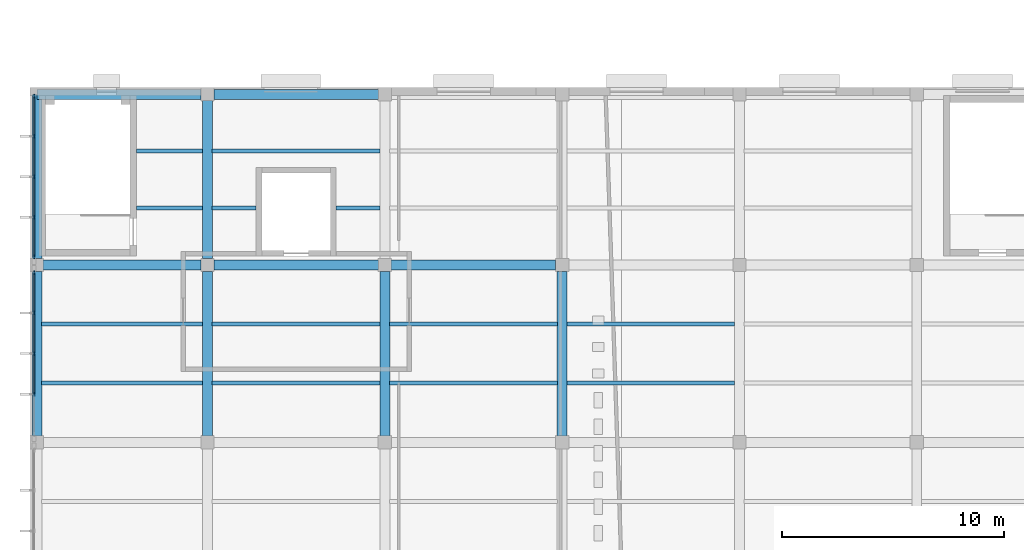
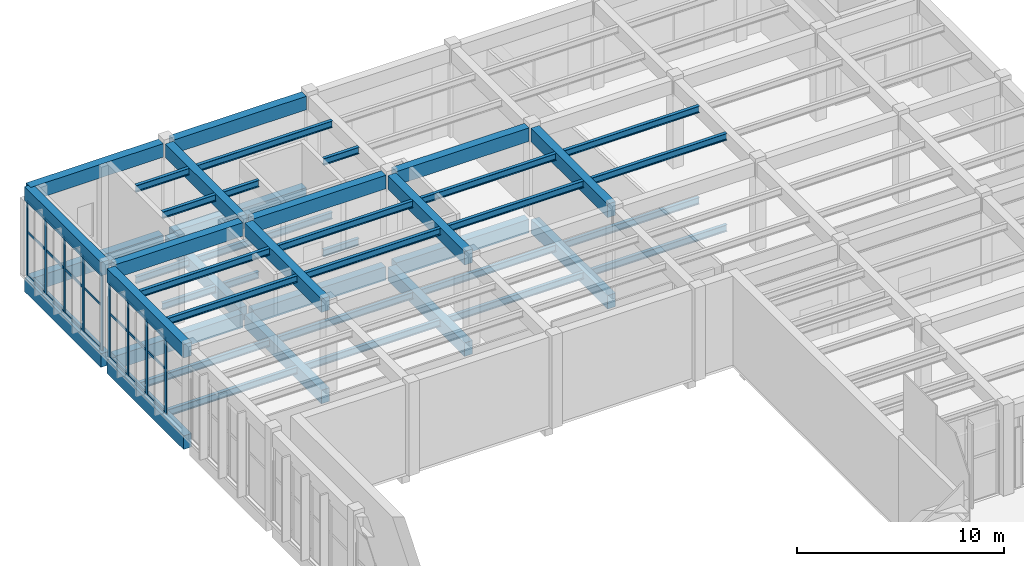
# One storey, part 47 of 94: 48 beams, 30 members, 2 elements without a shape of their own.
"""IFC4 building model written with IfcOpenShell, lengths in metres."""

from ifc_helpers import new_model, si_unit, direction, frame, origin, origin_2d, place, context, subcontext, project, spatial, rectangle, i_section, extrude, material, layer, layer_set, material_profile, profile_set, type_object, element, aggregate, save


model = new_model("IFC4")

# Units and contexts
model_context = context("Model", 3, precision=1e-05, world=origin(), true_north=direction((0.0, 1.0)))
body_context = subcontext(model_context, "Body", "Model", "MODEL_VIEW")
ifc_project = project(units=[si_unit("LENGTHUNIT", "METRE"), si_unit("AREAUNIT", "SQUARE_METRE"), si_unit("VOLUMEUNIT", "CUBIC_METRE"), si_unit("PLANEANGLEUNIT", "RADIAN"), si_unit("MASSUNIT", "GRAM", prefix="KILO")], contexts=[model_context])

# Site, building, storey
site_placement = place(None, origin())
site = spatial("IfcSite", under=ifc_project, at=site_placement, CompositionType="ELEMENT")
building_placement = place(site_placement, origin())
building = spatial("IfcBuilding", under=site, at=building_placement, Name="Lunette Opera House", CompositionType="ELEMENT")
storey_placement = place(building_placement, frame((0.0, 0.0, 22.5)))
storey = spatial("IfcBuildingStorey", under=building, at=storey_placement, Name="L04", CompositionType="ELEMENT", Elevation=22.5)

# Curtain wall, members
ifc_material_1 = material(Name="Aluminium", Category="aluminium")
ifc_layer = layer(ifc_material_1, 0.179931640625)
ifc_layer_set = layer_set([ifc_layer], Name="Aluminium")
curtain_wall_type = type_object("IfcCurtainWallType", Name="SUN FACE CURTAIN WALL", PredefinedType="NOTDEFINED", material=ifc_layer_set)
curtain_wall_1_placement = place(storey_placement, origin())
curtain_wall_1 = element("IfcCurtainWall", 1, at=curtain_wall_1_placement, inside=storey, type_object=curtain_wall_type, Name="Sun Face Curtain Wall F15 L04", PredefinedType="NOTDEFINED")
ifc_material_2 = material(Name="Aluminium", Category="aluminium")
ifc_material_profile_1 = material_profile(ifc_material_2, rectangle(XDim=0.06005859375, YDim=0.179931640625, at=origin_2d()), Name="MULLION 60 X 180")
ifc_profile_set_1 = profile_set([ifc_material_profile_1], Name="Aluminium")
member_type_1 = type_object("IfcMemberType", Name="MULLION 60 X 180", PredefinedType="MULLION", material=ifc_profile_set_1)
member_1_placement = place(storey_placement, frame((8.181884765625, 111.60498046875, 0.0), z_axis=(0.0, 0.0, 1.0), x_axis=(1.0, 0.0, 0.0)))
member_1 = element("IfcMember", 2, at=member_1_placement, type_object=member_type_1, Name="RW-X2061 mullion 1", PredefinedType="MULLION", context=body_context, shape_type="SweptSolid", body=[
    extrude(rectangle(XDim=0.06005859375, YDim=0.179931640625, at=origin_2d()), origin(), (0.0, 0.0, 1.0), 4.449951171875),
])
member_2_placement = place(storey_placement, frame((8.181884765625, 109.808837890625, 0.0), z_axis=(0.0, 0.0, 1.0), x_axis=(1.0, 0.0, 0.0)))
member_2 = element("IfcMember", 3, at=member_2_placement, type_object=member_type_1, Name="RW-X2061 mullion 2", PredefinedType="MULLION", context=body_context, shape_type="SweptSolid", body=[
    extrude(rectangle(XDim=0.06005859375, YDim=0.179931640625, at=origin_2d()), origin(), (0.0, 0.0, 1.0), 4.449951171875),
])
member_3_placement = place(storey_placement, frame((8.181884765625, 107.982421875, 0.0), z_axis=(0.0, 0.0, 1.0), x_axis=(1.0, 0.0, 0.0)))
member_3 = element("IfcMember", 4, at=member_3_placement, type_object=member_type_1, Name="RW-X2061 mullion 3", PredefinedType="MULLION", context=body_context, shape_type="SweptSolid", body=[
    extrude(rectangle(XDim=0.06005859375, YDim=0.179931640625, at=origin_2d()), origin(), (0.0, 0.0, 1.0), 4.449951171875),
])
member_4_placement = place(storey_placement, frame((8.181884765625, 106.15625, 0.0), z_axis=(0.0, 0.0, 1.0), x_axis=(1.0, 0.0, 0.0)))
member_4 = element("IfcMember", 5, at=member_4_placement, type_object=member_type_1, Name="RW-X2061 mullion 4", PredefinedType="MULLION", context=body_context, shape_type="SweptSolid", body=[
    extrude(rectangle(XDim=0.06005859375, YDim=0.179931640625, at=origin_2d()), origin(), (0.0, 0.0, 1.0), 4.449951171875),
])
member_5_placement = place(storey_placement, frame((8.181884765625, 104.360107421875, 0.0), z_axis=(0.0, 0.0, 1.0), x_axis=(1.0, 0.0, 0.0)))
member_5 = element("IfcMember", 6, at=member_5_placement, type_object=member_type_1, Name="RW-X2061 mullion 5", PredefinedType="MULLION", context=body_context, shape_type="SweptSolid", body=[
    extrude(rectangle(XDim=0.06005859375, YDim=0.179931640625, at=origin_2d()), origin(), (0.0, 0.0, 1.0), 4.449951171875),
])

curtain_wall_2_placement = place(storey_placement, origin())
curtain_wall_2 = element("IfcCurtainWall", 7, at=curtain_wall_2_placement, inside=storey, type_object=curtain_wall_type, Name="Sun Face Curtain Wall F16 L04", PredefinedType="NOTDEFINED")
member_6_placement = place(storey_placement, frame((8.181884765625, 103.639892578125, 0.0), z_axis=(0.0, 0.0, 1.0), x_axis=(1.0, 0.0, 0.0)))
member_6 = element("IfcMember", 8, at=member_6_placement, type_object=member_type_1, Name="RW-X2062 mullion 1", PredefinedType="MULLION", context=body_context, shape_type="SweptSolid", body=[
    extrude(rectangle(XDim=0.06005859375, YDim=0.179931640625, at=origin_2d()), origin(), (0.0, 0.0, 1.0), 4.449951171875),
])
member_7_placement = place(storey_placement, frame((8.181884765625, 101.8349609375, 0.0), z_axis=(0.0, 0.0, 1.0), x_axis=(1.0, 0.0, 0.0)))
member_7 = element("IfcMember", 9, at=member_7_placement, type_object=member_type_1, Name="RW-X2062 mullion 2", PredefinedType="MULLION", context=body_context, shape_type="SweptSolid", body=[
    extrude(rectangle(XDim=0.06005859375, YDim=0.179931640625, at=origin_2d()), origin(), (0.0, 0.0, 1.0), 4.449951171875),
])
member_8_placement = place(storey_placement, frame((8.181884765625, 100.0, 0.0), z_axis=(0.0, 0.0, 1.0), x_axis=(1.0, 0.0, 0.0)))
member_8 = element("IfcMember", 10, at=member_8_placement, type_object=member_type_1, Name="RW-X2062 mullion 3", PredefinedType="MULLION", context=body_context, shape_type="SweptSolid", body=[
    extrude(rectangle(XDim=0.06005859375, YDim=0.179931640625, at=origin_2d()), origin(), (0.0, 0.0, 1.0), 4.449951171875),
])
member_9_placement = place(storey_placement, frame((8.181884765625, 98.1650390625, 0.0), z_axis=(0.0, 0.0, 1.0), x_axis=(1.0, 0.0, 0.0)))
member_9 = element("IfcMember", 11, at=member_9_placement, type_object=member_type_1, Name="RW-X2062 mullion 4", PredefinedType="MULLION", context=body_context, shape_type="SweptSolid", body=[
    extrude(rectangle(XDim=0.06005859375, YDim=0.179931640625, at=origin_2d()), origin(), (0.0, 0.0, 1.0), 4.449951171875),
])

# Beams
ifc_material_3 = material(Name="Concrete C35/45", Category="concrete")
ifc_material_profile_2 = material_profile(ifc_material_3, rectangle(XDim=0.449951171875, YDim=0.800048828125, at=origin_2d()), Name="RC BEAM 450X800")
ifc_profile_set_2 = profile_set([ifc_material_profile_2], Name="Concrete C35/45")
beam_type_1 = type_object("IfcBeamType", Name="RC BEAM 450X800", PredefinedType="BEAM", material=ifc_profile_set_2)
beam_1_placement = place(storey_placement, frame((8.300048828125, 96.2900390625, -0.550048828125), z_axis=(0.0, 1.0, 0.0), x_axis=(-1.0, 0.0, 0.0)))
element("IfcBeam", 12, at=beam_1_placement, inside=storey, type_object=beam_type_1, Name="beam-RW-L04-L04-GY04", PredefinedType="BEAM", context=body_context, shape_type="SweptSolid", body=[
    extrude(rectangle(XDim=0.449951171875, YDim=0.800048828125, at=origin_2d()), origin(), (0.0, 0.0, 1.0), 7.419921875),
])
beam_2_placement = place(storey_placement, frame((8.300048828125, 104.2900390625, -0.550048828125), z_axis=(0.0, 1.0, 0.0), x_axis=(-1.0, 0.0, 0.0)))
element("IfcBeam", 13, at=beam_2_placement, inside=storey, type_object=beam_type_1, Name="beam-RW-L04-L04-GY05", PredefinedType="BEAM", context=body_context, shape_type="SweptSolid", body=[
    extrude(rectangle(XDim=0.449951171875, YDim=0.800048828125, at=origin_2d()), origin(), (0.0, 0.0, 1.0), 7.409912109375),
])
beam_3_placement = place(storey_placement, frame((16.0, 96.2900390625, -0.550048828125), z_axis=(0.0, 1.0, 0.0), x_axis=(-1.0, 0.0, 0.0)))
element("IfcBeam", 14, at=beam_3_placement, inside=storey, type_object=beam_type_1, Name="beam-RW-L04-L04-GY14", PredefinedType="BEAM", context=body_context, shape_type="SweptSolid", body=[
    extrude(rectangle(XDim=0.449951171875, YDim=0.800048828125, at=origin_2d()), origin(), (0.0, 0.0, 1.0), 7.419921875),
])
beam_4_placement = place(storey_placement, frame((16.0, 104.2900390625, -0.550048828125), z_axis=(0.0, 1.0, 0.0), x_axis=(-1.0, 0.0, 0.0)))
element("IfcBeam", 15, at=beam_4_placement, inside=storey, type_object=beam_type_1, Name="beam-RW-L04-L04-GY15", PredefinedType="BEAM", context=body_context, shape_type="SweptSolid", body=[
    extrude(rectangle(XDim=0.449951171875, YDim=0.800048828125, at=origin_2d()), origin(), (0.0, 0.0, 1.0), 7.119873046875),
])
for number, where, z_axis, x_axis, name in (
    (16, (24.0, 96.2900390625, -0.550048828125), (0.0, 1.0, 0.0), (-1.0, 0.0, 0.0), "beam-RW-L04-L04-GY24"),
    (17, (32.0, 96.2900390625, -0.550048828125), (0.0, 1.0, 0.0), (-1.0, 0.0, 0.0), "beam-RW-L04-L04-GY34"),
):
    element("IfcBeam", number, at=place(storey_placement, frame(where, z_axis=z_axis, x_axis=x_axis)), inside=storey, type_object=beam_type_1, Name=name, PredefinedType="BEAM", context=body_context, shape_type="SweptSolid", body=[
        extrude(rectangle(XDim=0.449951171875, YDim=0.800048828125, at=origin_2d()), origin(), (0.0, 0.0, 1.0), 7.419921875),
    ])
beam_5_placement = place(storey_placement, frame((8.590087890625, 104.0, -0.550048828125), z_axis=(1.0, 0.0, 0.0), x_axis=(0.0, 1.0, 0.0)))
element("IfcBeam", 18, at=beam_5_placement, inside=storey, type_object=beam_type_1, Name="beam-RW-L04-L04-GX05", PredefinedType="BEAM", context=body_context, shape_type="SweptSolid", body=[
    extrude(rectangle(XDim=0.449951171875, YDim=0.800048828125, at=origin_2d()), origin(), (0.0, 0.0, 1.0), 7.119873046875),
])
for number, where, z_axis, x_axis, name in (
    (19, (16.2900390625, 104.0, -0.550048828125), (1.0, 0.0, 0.0), (0.0, 1.0, 0.0), "beam-RW-L04-L04-GX15"),
    (20, (24.2900390625, 104.0, -0.550048828125), (1.0, 0.0, 0.0), (0.0, 1.0, 0.0), "beam-RW-L04-L04-GX25"),
):
    element("IfcBeam", number, at=place(storey_placement, frame(where, z_axis=z_axis, x_axis=x_axis)), inside=storey, type_object=beam_type_1, Name=name, PredefinedType="BEAM", context=body_context, shape_type="SweptSolid", body=[
        extrude(rectangle(XDim=0.449951171875, YDim=0.800048828125, at=origin_2d()), origin(), (0.0, 0.0, 1.0), 7.419921875),
    ])
beam_6_placement = place(storey_placement, frame((8.300048828125, 111.699951171875, -0.550048828125), z_axis=(1.0, 0.0, 0.0), x_axis=(0.0, 1.0, 0.0)))
element("IfcBeam", 21, at=beam_6_placement, inside=storey, type_object=beam_type_1, Name="beam-RW-L04-L04-GX06", PredefinedType="BEAM", context=body_context, shape_type="SweptSolid", body=[
    extrude(rectangle(XDim=0.449951171875, YDim=0.800048828125, at=origin_2d()), origin(), (0.0, 0.0, 1.0), 7.409912109375),
])
for number, where, z_axis, x_axis, name in (
    (22, (16.2900390625, 111.699951171875, -0.550048828125), (1.0, 0.0, 0.0), (0.0, 1.0, 0.0), "beam-RW-L04-L04-GX16"),
    (23, (8.300048828125, 96.2900390625, 4.85009765625), (0.0, 1.0, 0.0), (-1.0, 0.0, 0.0), "beam-RW-L04-L04R-GY04"),
):
    element("IfcBeam", number, at=place(storey_placement, frame(where, z_axis=z_axis, x_axis=x_axis)), inside=storey, type_object=beam_type_1, Name=name, PredefinedType="BEAM", context=body_context, shape_type="SweptSolid", body=[
        extrude(rectangle(XDim=0.449951171875, YDim=0.800048828125, at=origin_2d()), origin(), (0.0, 0.0, 1.0), 7.419921875),
    ])
beam_7_placement = place(storey_placement, frame((8.300048828125, 104.2900390625, 4.85009765625), z_axis=(0.0, 1.0, 0.0), x_axis=(-1.0, 0.0, 0.0)))
element("IfcBeam", 24, at=beam_7_placement, inside=storey, type_object=beam_type_1, Name="beam-RW-L04-L04R-GY05", PredefinedType="BEAM", context=body_context, shape_type="SweptSolid", body=[
    extrude(rectangle(XDim=0.449951171875, YDim=0.800048828125, at=origin_2d()), origin(), (0.0, 0.0, 1.0), 7.409912109375),
])
beam_8_placement = place(storey_placement, frame((16.0, 96.2900390625, 4.85009765625), z_axis=(0.0, 1.0, 0.0), x_axis=(-1.0, 0.0, 0.0)))
element("IfcBeam", 25, at=beam_8_placement, inside=storey, type_object=beam_type_1, Name="beam-RW-L04-L04R-GY14", PredefinedType="BEAM", context=body_context, shape_type="SweptSolid", body=[
    extrude(rectangle(XDim=0.449951171875, YDim=0.800048828125, at=origin_2d()), origin(), (0.0, 0.0, 1.0), 7.419921875),
])
beam_9_placement = place(storey_placement, frame((16.0, 104.2900390625, 4.85009765625), z_axis=(0.0, 1.0, 0.0), x_axis=(-1.0, 0.0, 0.0)))
element("IfcBeam", 26, at=beam_9_placement, inside=storey, type_object=beam_type_1, Name="beam-RW-L04-L04R-GY15", PredefinedType="BEAM", context=body_context, shape_type="SweptSolid", body=[
    extrude(rectangle(XDim=0.449951171875, YDim=0.800048828125, at=origin_2d()), origin(), (0.0, 0.0, 1.0), 7.119873046875),
])
for number, where, z_axis, x_axis, name in (
    (27, (24.0, 96.2900390625, 4.85009765625), (0.0, 1.0, 0.0), (-1.0, 0.0, 0.0), "beam-RW-L04-L04R-GY24"),
    (28, (32.0, 96.2900390625, 4.85009765625), (0.0, 1.0, 0.0), (-1.0, 0.0, 0.0), "beam-RW-L04-L04R-GY34"),
):
    element("IfcBeam", number, at=place(storey_placement, frame(where, z_axis=z_axis, x_axis=x_axis)), inside=storey, type_object=beam_type_1, Name=name, PredefinedType="BEAM", context=body_context, shape_type="SweptSolid", body=[
        extrude(rectangle(XDim=0.449951171875, YDim=0.800048828125, at=origin_2d()), origin(), (0.0, 0.0, 1.0), 7.419921875),
    ])
beam_10_placement = place(storey_placement, frame((8.590087890625, 104.0, 4.85009765625), z_axis=(1.0, 0.0, 0.0), x_axis=(0.0, 1.0, 0.0)))
element("IfcBeam", 29, at=beam_10_placement, inside=storey, type_object=beam_type_1, Name="beam-RW-L04-L04R-GX05", PredefinedType="BEAM", context=body_context, shape_type="SweptSolid", body=[
    extrude(rectangle(XDim=0.449951171875, YDim=0.800048828125, at=origin_2d()), origin(), (0.0, 0.0, 1.0), 7.119873046875),
])
for number, where, z_axis, x_axis, name in (
    (30, (16.2900390625, 104.0, 4.85009765625), (1.0, 0.0, 0.0), (0.0, 1.0, 0.0), "beam-RW-L04-L04R-GX15"),
    (31, (24.2900390625, 104.0, 4.85009765625), (1.0, 0.0, 0.0), (0.0, 1.0, 0.0), "beam-RW-L04-L04R-GX25"),
):
    element("IfcBeam", number, at=place(storey_placement, frame(where, z_axis=z_axis, x_axis=x_axis)), inside=storey, type_object=beam_type_1, Name=name, PredefinedType="BEAM", context=body_context, shape_type="SweptSolid", body=[
        extrude(rectangle(XDim=0.449951171875, YDim=0.800048828125, at=origin_2d()), origin(), (0.0, 0.0, 1.0), 7.419921875),
    ])
beam_11_placement = place(storey_placement, frame((8.300048828125, 111.699951171875, 4.85009765625), z_axis=(1.0, 0.0, 0.0), x_axis=(0.0, 1.0, 0.0)))
element("IfcBeam", 32, at=beam_11_placement, inside=storey, type_object=beam_type_1, Name="beam-RW-L04-L04R-GX06", PredefinedType="BEAM", context=body_context, shape_type="SweptSolid", body=[
    extrude(rectangle(XDim=0.449951171875, YDim=0.800048828125, at=origin_2d()), origin(), (0.0, 0.0, 1.0), 7.409912109375),
])
beam_12_placement = place(storey_placement, frame((16.2900390625, 111.699951171875, 4.85009765625), z_axis=(1.0, 0.0, 0.0), x_axis=(0.0, 1.0, 0.0)))
element("IfcBeam", 33, at=beam_12_placement, inside=storey, type_object=beam_type_1, Name="beam-RW-L04-L04R-GX16", PredefinedType="BEAM", context=body_context, shape_type="SweptSolid", body=[
    extrude(rectangle(XDim=0.449951171875, YDim=0.800048828125, at=origin_2d()), origin(), (0.0, 0.0, 1.0), 7.419921875),
])
ifc_material_4 = material(Name="Steel S355", Category="steel")
ifc_material_profile_3 = material_profile(ifc_material_4, i_section(OverallWidth=0.179931640625, OverallDepth=0.39990234375, WebThickness=0.008544921875, FlangeThickness=0.013427734375, FilletRadius=0.02099609375, at=origin_2d()), Name="IPE 400")
ifc_profile_set_3 = profile_set([ifc_material_profile_3], Name="Steel S355")
beam_type_2 = type_object("IfcBeamType", Name="STEEL BEAM IPE 400", PredefinedType="BEAM", material=ifc_profile_set_3)
for number, where, z_axis, x_axis, name in (
    (34, (8.514892578125, 98.6669921875, -0.35009765625), (1.0, 0.0, 0.0), (0.0, 1.0, 0.0), "beam-RW-L04-L04-SX041"),
    (35, (8.514892578125, 101.3330078125, -0.35009765625), (1.0, 0.0, 0.0), (0.0, 1.0, 0.0), "beam-RW-L04-L04-SX042"),
):
    element("IfcBeam", number, at=place(storey_placement, frame(where, z_axis=z_axis, x_axis=x_axis)), inside=storey, type_object=beam_type_2, Name=name, PredefinedType="BEAM", context=body_context, shape_type="SweptSolid", body=[
        extrude(i_section(OverallWidth=0.179931640625, OverallDepth=0.39990234375, WebThickness=0.008544921875, FlangeThickness=0.013427734375, FilletRadius=0.02099609375, at=origin_2d()), origin(), (0.0, 0.0, 1.0), 7.27001953125),
    ])
for number, where, z_axis, x_axis, name in (
    (36, (12.800048828125, 106.56689453125, -0.35009765625), (1.0, 0.0, 0.0), (0.0, 1.0, 0.0), "beam-RW-L04-L04-SX051"),
    (37, (12.800048828125, 109.133056640625, -0.35009765625), (1.0, 0.0, 0.0), (0.0, 1.0, 0.0), "beam-RW-L04-L04-SX052"),
):
    element("IfcBeam", number, at=place(storey_placement, frame(where, z_axis=z_axis, x_axis=x_axis)), inside=storey, type_object=beam_type_2, Name=name, PredefinedType="BEAM", context=body_context, shape_type="SweptSolid", body=[
        extrude(i_section(OverallWidth=0.179931640625, OverallDepth=0.39990234375, WebThickness=0.008544921875, FlangeThickness=0.013427734375, FilletRadius=0.02099609375, at=origin_2d()), origin(), (0.0, 0.0, 1.0), 2.98486328125),
    ])
for number, where, z_axis, x_axis, name in (
    (38, (16.215087890625, 98.6669921875, -0.35009765625), (1.0, 0.0, 0.0), (0.0, 1.0, 0.0), "beam-RW-L04-L04-SX141"),
    (39, (16.215087890625, 101.3330078125, -0.35009765625), (1.0, 0.0, 0.0), (0.0, 1.0, 0.0), "beam-RW-L04-L04-SX142"),
):
    element("IfcBeam", number, at=place(storey_placement, frame(where, z_axis=z_axis, x_axis=x_axis)), inside=storey, type_object=beam_type_2, Name=name, PredefinedType="BEAM", context=body_context, shape_type="SweptSolid", body=[
        extrude(i_section(OverallWidth=0.179931640625, OverallDepth=0.39990234375, WebThickness=0.008544921875, FlangeThickness=0.013427734375, FilletRadius=0.02099609375, at=origin_2d()), origin(), (0.0, 0.0, 1.0), 7.56982421875),
    ])
for number, where, z_axis, x_axis, name in (
    (40, (16.215087890625, 106.56689453125, -0.35009765625), (1.0, 0.0, 0.0), (0.0, 1.0, 0.0), "beam-RW-L04-L04-SX151"),
    (41, (21.800048828125, 106.56689453125, -0.35009765625), (1.0, 0.0, 0.0), (0.0, 1.0, 0.0), "beam-RW-L04-L04-SX151-01"),
):
    element("IfcBeam", number, at=place(storey_placement, frame(where, z_axis=z_axis, x_axis=x_axis)), inside=storey, type_object=beam_type_2, Name=name, PredefinedType="BEAM", context=body_context, shape_type="SweptSolid", body=[
        extrude(i_section(OverallWidth=0.179931640625, OverallDepth=0.39990234375, WebThickness=0.008544921875, FlangeThickness=0.013427734375, FilletRadius=0.02099609375, at=origin_2d()), origin(), (0.0, 0.0, 1.0), 1.98486328125),
    ])
for number, where, z_axis, x_axis, name in (
    (42, (16.215087890625, 109.133056640625, -0.35009765625), (1.0, 0.0, 0.0), (0.0, 1.0, 0.0), "beam-RW-L04-L04-SX152"),
    (43, (24.215087890625, 98.6669921875, -0.35009765625), (1.0, 0.0, 0.0), (0.0, 1.0, 0.0), "beam-RW-L04-L04-SX241"),
    (44, (24.215087890625, 101.3330078125, -0.35009765625), (1.0, 0.0, 0.0), (0.0, 1.0, 0.0), "beam-RW-L04-L04-SX242"),
    (45, (32.215087890625, 98.6669921875, -0.35009765625), (1.0, 0.0, 0.0), (0.0, 1.0, 0.0), "beam-RW-L04-L04-SX341"),
    (46, (32.215087890625, 101.3330078125, -0.35009765625), (1.0, 0.0, 0.0), (0.0, 1.0, 0.0), "beam-RW-L04-L04-SX342"),
):
    element("IfcBeam", number, at=place(storey_placement, frame(where, z_axis=z_axis, x_axis=x_axis)), inside=storey, type_object=beam_type_2, Name=name, PredefinedType="BEAM", context=body_context, shape_type="SweptSolid", body=[
        extrude(i_section(OverallWidth=0.179931640625, OverallDepth=0.39990234375, WebThickness=0.008544921875, FlangeThickness=0.013427734375, FilletRadius=0.02099609375, at=origin_2d()), origin(), (0.0, 0.0, 1.0), 7.56982421875),
    ])
for number, where, z_axis, x_axis, name in (
    (47, (8.514892578125, 98.6669921875, 5.050048828125), (1.0, 0.0, 0.0), (0.0, 1.0, 0.0), "beam-RW-L04-L04R-SX041"),
    (48, (8.514892578125, 101.3330078125, 5.050048828125), (1.0, 0.0, 0.0), (0.0, 1.0, 0.0), "beam-RW-L04-L04R-SX042"),
):
    element("IfcBeam", number, at=place(storey_placement, frame(where, z_axis=z_axis, x_axis=x_axis)), inside=storey, type_object=beam_type_2, Name=name, PredefinedType="BEAM", context=body_context, shape_type="SweptSolid", body=[
        extrude(i_section(OverallWidth=0.179931640625, OverallDepth=0.39990234375, WebThickness=0.008544921875, FlangeThickness=0.013427734375, FilletRadius=0.02099609375, at=origin_2d()), origin(), (0.0, 0.0, 1.0), 7.27001953125),
    ])
for number, where, z_axis, x_axis, name in (
    (49, (12.800048828125, 106.56689453125, 5.050048828125), (1.0, 0.0, 0.0), (0.0, 1.0, 0.0), "beam-RW-L04-L04R-SX051"),
    (50, (12.800048828125, 109.133056640625, 5.050048828125), (1.0, 0.0, 0.0), (0.0, 1.0, 0.0), "beam-RW-L04-L04R-SX052"),
):
    element("IfcBeam", number, at=place(storey_placement, frame(where, z_axis=z_axis, x_axis=x_axis)), inside=storey, type_object=beam_type_2, Name=name, PredefinedType="BEAM", context=body_context, shape_type="SweptSolid", body=[
        extrude(i_section(OverallWidth=0.179931640625, OverallDepth=0.39990234375, WebThickness=0.008544921875, FlangeThickness=0.013427734375, FilletRadius=0.02099609375, at=origin_2d()), origin(), (0.0, 0.0, 1.0), 2.98486328125),
    ])
for number, where, z_axis, x_axis, name in (
    (51, (16.215087890625, 98.6669921875, 5.050048828125), (1.0, 0.0, 0.0), (0.0, 1.0, 0.0), "beam-RW-L04-L04R-SX141"),
    (52, (16.215087890625, 101.3330078125, 5.050048828125), (1.0, 0.0, 0.0), (0.0, 1.0, 0.0), "beam-RW-L04-L04R-SX142"),
):
    element("IfcBeam", number, at=place(storey_placement, frame(where, z_axis=z_axis, x_axis=x_axis)), inside=storey, type_object=beam_type_2, Name=name, PredefinedType="BEAM", context=body_context, shape_type="SweptSolid", body=[
        extrude(i_section(OverallWidth=0.179931640625, OverallDepth=0.39990234375, WebThickness=0.008544921875, FlangeThickness=0.013427734375, FilletRadius=0.02099609375, at=origin_2d()), origin(), (0.0, 0.0, 1.0), 7.56982421875),
    ])
for number, where, z_axis, x_axis, name in (
    (53, (16.215087890625, 106.56689453125, 5.050048828125), (1.0, 0.0, 0.0), (0.0, 1.0, 0.0), "beam-RW-L04-L04R-SX151"),
    (54, (21.800048828125, 106.56689453125, 5.050048828125), (1.0, 0.0, 0.0), (0.0, 1.0, 0.0), "beam-RW-L04-L04R-SX151-01"),
):
    element("IfcBeam", number, at=place(storey_placement, frame(where, z_axis=z_axis, x_axis=x_axis)), inside=storey, type_object=beam_type_2, Name=name, PredefinedType="BEAM", context=body_context, shape_type="SweptSolid", body=[
        extrude(i_section(OverallWidth=0.179931640625, OverallDepth=0.39990234375, WebThickness=0.008544921875, FlangeThickness=0.013427734375, FilletRadius=0.02099609375, at=origin_2d()), origin(), (0.0, 0.0, 1.0), 1.98486328125),
    ])
for number, where, z_axis, x_axis, name in (
    (55, (16.215087890625, 109.133056640625, 5.050048828125), (1.0, 0.0, 0.0), (0.0, 1.0, 0.0), "beam-RW-L04-L04R-SX152"),
    (56, (24.215087890625, 98.6669921875, 5.050048828125), (1.0, 0.0, 0.0), (0.0, 1.0, 0.0), "beam-RW-L04-L04R-SX241"),
    (57, (24.215087890625, 101.3330078125, 5.050048828125), (1.0, 0.0, 0.0), (0.0, 1.0, 0.0), "beam-RW-L04-L04R-SX242"),
    (58, (32.215087890625, 98.6669921875, 5.050048828125), (1.0, 0.0, 0.0), (0.0, 1.0, 0.0), "beam-RW-L04-L04R-SX341"),
    (59, (32.215087890625, 101.3330078125, 5.050048828125), (1.0, 0.0, 0.0), (0.0, 1.0, 0.0), "beam-RW-L04-L04R-SX342"),
):
    element("IfcBeam", number, at=place(storey_placement, frame(where, z_axis=z_axis, x_axis=x_axis)), inside=storey, type_object=beam_type_2, Name=name, PredefinedType="BEAM", context=body_context, shape_type="SweptSolid", body=[
        extrude(i_section(OverallWidth=0.179931640625, OverallDepth=0.39990234375, WebThickness=0.008544921875, FlangeThickness=0.013427734375, FilletRadius=0.02099609375, at=origin_2d()), origin(), (0.0, 0.0, 1.0), 7.56982421875),
    ])

# Member
ifc_material_5 = material(Name="Aluminium", Category="aluminium")
ifc_material_profile_4 = material_profile(ifc_material_5, rectangle(XDim=0.06005859375, YDim=0.139892578125, at=origin_2d()), Name="TRANSOM 60 X 140")
ifc_profile_set_4 = profile_set([ifc_material_profile_4], Name="Aluminium")
member_type_2 = type_object("IfcMemberType", Name="TRANSOM 60 X 140", PredefinedType="USERDEFINED", material=ifc_profile_set_4)
member_10_placement = place(storey_placement, frame((8.181884765625, 111.574951171875, 0.030029296875), z_axis=(0.0, -1.0, 0.0), x_axis=(1.0, 0.0, 0.0)))
member_10 = element("IfcMember", 60, at=member_10_placement, type_object=member_type_2, Name="RW-X2061 transom 1.1", ObjectType="TRANSOM", PredefinedType="USERDEFINED", context=body_context, shape_type="SweptSolid", body=[
    extrude(rectangle(XDim=0.06005859375, YDim=0.139892578125, at=origin_2d()), origin(), (0.0, 0.0, 1.0), 1.736083984375),
])

member_11_placement = place(storey_placement, frame((8.181884765625, 111.574951171875, 2.625), z_axis=(0.0, -1.0, 0.0), x_axis=(1.0, 0.0, 0.0)))
member_11 = element("IfcMember", 61, at=member_11_placement, type_object=member_type_2, Name="RW-X2061 transom 1.2", ObjectType="TRANSOM", PredefinedType="USERDEFINED", context=body_context, shape_type="SweptSolid", body=[
    extrude(rectangle(XDim=0.06005859375, YDim=0.139892578125, at=origin_2d()), origin(), (0.0, 0.0, 1.0), 1.736083984375),
])

member_12_placement = place(storey_placement, frame((8.181884765625, 111.574951171875, 4.419921875), z_axis=(0.0, -1.0, 0.0), x_axis=(1.0, 0.0, 0.0)))
member_12 = element("IfcMember", 62, at=member_12_placement, type_object=member_type_2, Name="RW-X2061 transom 1.3", ObjectType="TRANSOM", PredefinedType="USERDEFINED", context=body_context, shape_type="SweptSolid", body=[
    extrude(rectangle(XDim=0.06005859375, YDim=0.139892578125, at=origin_2d()), origin(), (0.0, 0.0, 1.0), 1.736083984375),
])

member_13_placement = place(storey_placement, frame((8.181884765625, 109.77880859375, 0.030029296875), z_axis=(0.0, -1.0, 0.0), x_axis=(1.0, 0.0, 0.0)))
member_13 = element("IfcMember", 63, at=member_13_placement, type_object=member_type_2, Name="RW-X2061 transom 2.1", ObjectType="TRANSOM", PredefinedType="USERDEFINED", context=body_context, shape_type="SweptSolid", body=[
    extrude(rectangle(XDim=0.06005859375, YDim=0.139892578125, at=origin_2d()), origin(), (0.0, 0.0, 1.0), 1.766357421875),
])

member_14_placement = place(storey_placement, frame((8.181884765625, 109.77880859375, 2.625), z_axis=(0.0, -1.0, 0.0), x_axis=(1.0, 0.0, 0.0)))
member_14 = element("IfcMember", 64, at=member_14_placement, type_object=member_type_2, Name="RW-X2061 transom 2.2", ObjectType="TRANSOM", PredefinedType="USERDEFINED", context=body_context, shape_type="SweptSolid", body=[
    extrude(rectangle(XDim=0.06005859375, YDim=0.139892578125, at=origin_2d()), origin(), (0.0, 0.0, 1.0), 1.766357421875),
])

member_15_placement = place(storey_placement, frame((8.181884765625, 109.77880859375, 4.419921875), z_axis=(0.0, -1.0, 0.0), x_axis=(1.0, 0.0, 0.0)))
member_15 = element("IfcMember", 65, at=member_15_placement, type_object=member_type_2, Name="RW-X2061 transom 2.3", ObjectType="TRANSOM", PredefinedType="USERDEFINED", context=body_context, shape_type="SweptSolid", body=[
    extrude(rectangle(XDim=0.06005859375, YDim=0.139892578125, at=origin_2d()), origin(), (0.0, 0.0, 1.0), 1.766357421875),
])

member_16_placement = place(storey_placement, frame((8.181884765625, 107.952392578125, 0.030029296875), z_axis=(0.0, -1.0, 0.0), x_axis=(1.0, 0.0, 0.0)))
member_16 = element("IfcMember", 66, at=member_16_placement, type_object=member_type_2, Name="RW-X2061 transom 3.1", ObjectType="TRANSOM", PredefinedType="USERDEFINED", context=body_context, shape_type="SweptSolid", body=[
    extrude(rectangle(XDim=0.06005859375, YDim=0.139892578125, at=origin_2d()), origin(), (0.0, 0.0, 1.0), 1.76611328125),
])

member_17_placement = place(storey_placement, frame((8.181884765625, 107.952392578125, 2.625), z_axis=(0.0, -1.0, 0.0), x_axis=(1.0, 0.0, 0.0)))
member_17 = element("IfcMember", 67, at=member_17_placement, type_object=member_type_2, Name="RW-X2061 transom 3.2", ObjectType="TRANSOM", PredefinedType="USERDEFINED", context=body_context, shape_type="SweptSolid", body=[
    extrude(rectangle(XDim=0.06005859375, YDim=0.139892578125, at=origin_2d()), origin(), (0.0, 0.0, 1.0), 1.76611328125),
])

member_18_placement = place(storey_placement, frame((8.181884765625, 107.952392578125, 4.419921875), z_axis=(0.0, -1.0, 0.0), x_axis=(1.0, 0.0, 0.0)))
member_18 = element("IfcMember", 68, at=member_18_placement, type_object=member_type_2, Name="RW-X2061 transom 3.3", ObjectType="TRANSOM", PredefinedType="USERDEFINED", context=body_context, shape_type="SweptSolid", body=[
    extrude(rectangle(XDim=0.06005859375, YDim=0.139892578125, at=origin_2d()), origin(), (0.0, 0.0, 1.0), 1.76611328125),
])

member_19_placement = place(storey_placement, frame((8.181884765625, 106.126220703125, 0.030029296875), z_axis=(0.0, -1.0, 0.0), x_axis=(1.0, 0.0, 0.0)))
member_19 = element("IfcMember", 69, at=member_19_placement, type_object=member_type_2, Name="RW-X2061 transom 4.1", ObjectType="TRANSOM", PredefinedType="USERDEFINED", context=body_context, shape_type="SweptSolid", body=[
    extrude(rectangle(XDim=0.06005859375, YDim=0.139892578125, at=origin_2d()), origin(), (0.0, 0.0, 1.0), 1.736328125),
])

member_20_placement = place(storey_placement, frame((8.181884765625, 106.126220703125, 2.625), z_axis=(0.0, -1.0, 0.0), x_axis=(1.0, 0.0, 0.0)))
member_20 = element("IfcMember", 70, at=member_20_placement, type_object=member_type_2, Name="RW-X2061 transom 4.2", ObjectType="TRANSOM", PredefinedType="USERDEFINED", context=body_context, shape_type="SweptSolid", body=[
    extrude(rectangle(XDim=0.06005859375, YDim=0.139892578125, at=origin_2d()), origin(), (0.0, 0.0, 1.0), 1.736328125),
])

member_21_placement = place(storey_placement, frame((8.181884765625, 106.126220703125, 4.419921875), z_axis=(0.0, -1.0, 0.0), x_axis=(1.0, 0.0, 0.0)))
member_21 = element("IfcMember", 71, at=member_21_placement, type_object=member_type_2, Name="RW-X2061 transom 4.3", ObjectType="TRANSOM", PredefinedType="USERDEFINED", context=body_context, shape_type="SweptSolid", body=[
    extrude(rectangle(XDim=0.06005859375, YDim=0.139892578125, at=origin_2d()), origin(), (0.0, 0.0, 1.0), 1.736328125),
])

aggregate(curtain_wall_1, [member_1, member_2, member_3, member_4, member_5, member_10, member_11, member_12, member_13, member_14, member_15, member_16, member_17, member_18, member_19, member_20, member_21])

member_22_placement = place(storey_placement, frame((8.181884765625, 103.610107421875, 0.030029296875), z_axis=(0.0, -1.0, 0.0), x_axis=(1.0, 0.0, 0.0)))
member_22 = element("IfcMember", 72, at=member_22_placement, type_object=member_type_2, Name="RW-X2062 transom 1.1", ObjectType="TRANSOM", PredefinedType="USERDEFINED", context=body_context, shape_type="SweptSolid", body=[
    extrude(rectangle(XDim=0.06005859375, YDim=0.139892578125, at=origin_2d()), origin(), (0.0, 0.0, 1.0), 1.7451171875),
])

member_23_placement = place(storey_placement, frame((8.181884765625, 103.610107421875, 2.625), z_axis=(0.0, -1.0, 0.0), x_axis=(1.0, 0.0, 0.0)))
member_23 = element("IfcMember", 73, at=member_23_placement, type_object=member_type_2, Name="RW-X2062 transom 1.2", ObjectType="TRANSOM", PredefinedType="USERDEFINED", context=body_context, shape_type="SweptSolid", body=[
    extrude(rectangle(XDim=0.06005859375, YDim=0.139892578125, at=origin_2d()), origin(), (0.0, 0.0, 1.0), 1.7451171875),
])

member_24_placement = place(storey_placement, frame((8.181884765625, 103.610107421875, 4.419921875), z_axis=(0.0, -1.0, 0.0), x_axis=(1.0, 0.0, 0.0)))
member_24 = element("IfcMember", 74, at=member_24_placement, type_object=member_type_2, Name="RW-X2062 transom 1.3", ObjectType="TRANSOM", PredefinedType="USERDEFINED", context=body_context, shape_type="SweptSolid", body=[
    extrude(rectangle(XDim=0.06005859375, YDim=0.139892578125, at=origin_2d()), origin(), (0.0, 0.0, 1.0), 1.7451171875),
])

member_25_placement = place(storey_placement, frame((8.181884765625, 101.804931640625, 0.030029296875), z_axis=(0.0, -1.0, 0.0), x_axis=(1.0, 0.0, 0.0)))
member_25 = element("IfcMember", 75, at=member_25_placement, type_object=member_type_2, Name="RW-X2062 transom 2.1", ObjectType="TRANSOM", PredefinedType="USERDEFINED", context=body_context, shape_type="SweptSolid", body=[
    extrude(rectangle(XDim=0.06005859375, YDim=0.139892578125, at=origin_2d()), origin(), (0.0, 0.0, 1.0), 1.77490234375),
])

member_26_placement = place(storey_placement, frame((8.181884765625, 101.804931640625, 2.625), z_axis=(0.0, -1.0, 0.0), x_axis=(1.0, 0.0, 0.0)))
member_26 = element("IfcMember", 76, at=member_26_placement, type_object=member_type_2, Name="RW-X2062 transom 2.2", ObjectType="TRANSOM", PredefinedType="USERDEFINED", context=body_context, shape_type="SweptSolid", body=[
    extrude(rectangle(XDim=0.06005859375, YDim=0.139892578125, at=origin_2d()), origin(), (0.0, 0.0, 1.0), 1.77490234375),
])

member_27_placement = place(storey_placement, frame((8.181884765625, 101.804931640625, 4.419921875), z_axis=(0.0, -1.0, 0.0), x_axis=(1.0, 0.0, 0.0)))
member_27 = element("IfcMember", 77, at=member_27_placement, type_object=member_type_2, Name="RW-X2062 transom 2.3", ObjectType="TRANSOM", PredefinedType="USERDEFINED", context=body_context, shape_type="SweptSolid", body=[
    extrude(rectangle(XDim=0.06005859375, YDim=0.139892578125, at=origin_2d()), origin(), (0.0, 0.0, 1.0), 1.77490234375),
])

member_28_placement = place(storey_placement, frame((8.181884765625, 99.969970703125, 0.030029296875), z_axis=(0.0, -1.0, 0.0), x_axis=(1.0, 0.0, 0.0)))
member_28 = element("IfcMember", 78, at=member_28_placement, type_object=member_type_2, Name="RW-X2062 transom 3.1", ObjectType="TRANSOM", PredefinedType="USERDEFINED", context=body_context, shape_type="SweptSolid", body=[
    extrude(rectangle(XDim=0.06005859375, YDim=0.139892578125, at=origin_2d()), origin(), (0.0, 0.0, 1.0), 1.77490234375),
])

member_29_placement = place(storey_placement, frame((8.181884765625, 99.969970703125, 2.625), z_axis=(0.0, -1.0, 0.0), x_axis=(1.0, 0.0, 0.0)))
member_29 = element("IfcMember", 79, at=member_29_placement, type_object=member_type_2, Name="RW-X2062 transom 3.2", ObjectType="TRANSOM", PredefinedType="USERDEFINED", context=body_context, shape_type="SweptSolid", body=[
    extrude(rectangle(XDim=0.06005859375, YDim=0.139892578125, at=origin_2d()), origin(), (0.0, 0.0, 1.0), 1.77490234375),
])

member_30_placement = place(storey_placement, frame((8.181884765625, 99.969970703125, 4.419921875), z_axis=(0.0, -1.0, 0.0), x_axis=(1.0, 0.0, 0.0)))
member_30 = element("IfcMember", 80, at=member_30_placement, type_object=member_type_2, Name="RW-X2062 transom 3.3", ObjectType="TRANSOM", PredefinedType="USERDEFINED", context=body_context, shape_type="SweptSolid", body=[
    extrude(rectangle(XDim=0.06005859375, YDim=0.139892578125, at=origin_2d()), origin(), (0.0, 0.0, 1.0), 1.77490234375),
])

aggregate(curtain_wall_2, [member_6, member_7, member_8, member_9, member_22, member_23, member_24, member_25, member_26, member_27, member_28, member_29, member_30])

save(model, "model.ifc")
